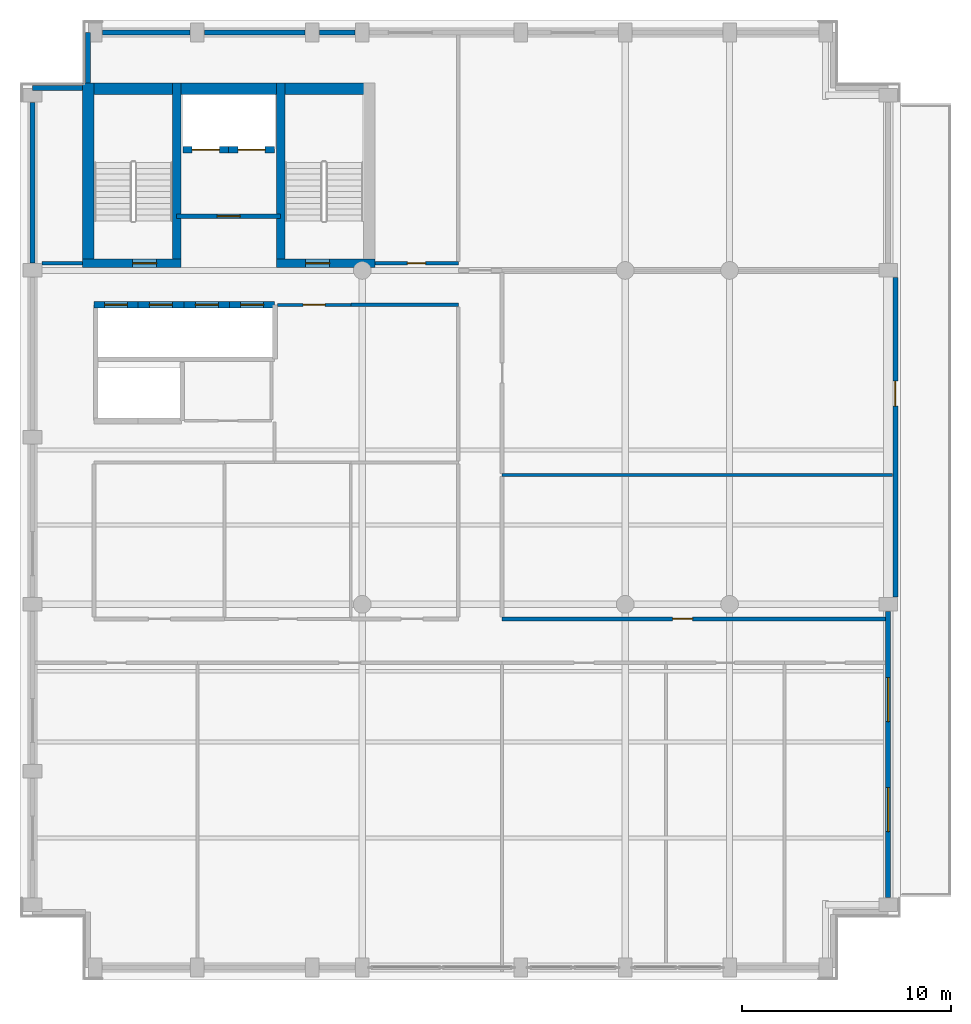
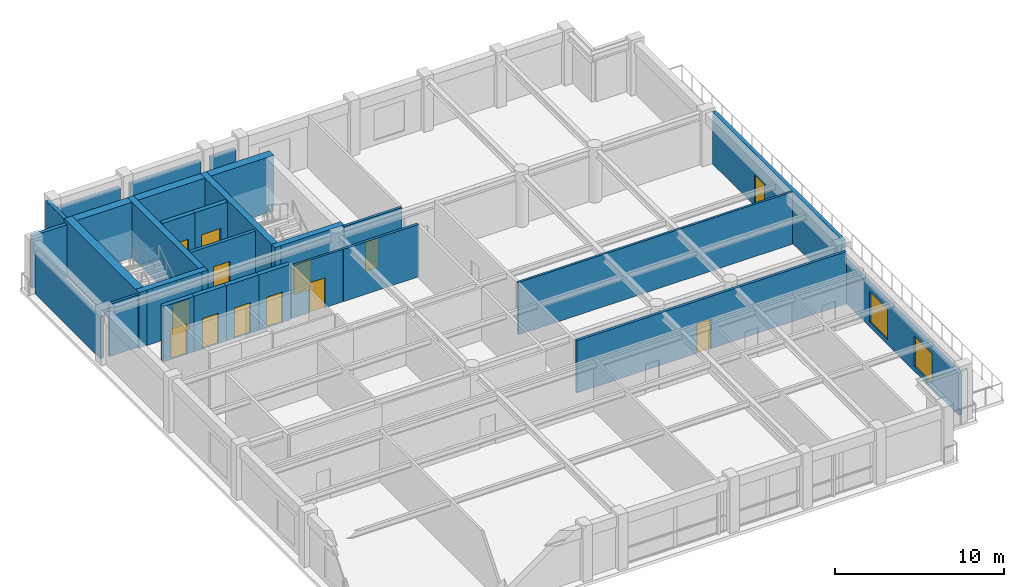
# One storey, part 5 of 9: 27 walls, 13 doors, 2 windows, 15 openings.
"""IFC4 building model written with IfcOpenShell, lengths in metres."""

from ifc_helpers import new_model, si_unit, direction, frame, frame_2d, origin, place, context, subcontext, project, spatial, rectangle, extrude, material, layer, layer_set, type_object, element, fill, save


model = new_model("IFC4")

# Units and contexts
model_context = context("Model", 3, precision=1e-05, world=origin(), true_north=direction((0.0, 1.0)))
body_context = subcontext(model_context, "Body", "Model", "MODEL_VIEW")
ifc_project = project(units=[si_unit("LENGTHUNIT", "METRE"), si_unit("AREAUNIT", "SQUARE_METRE"), si_unit("VOLUMEUNIT", "CUBIC_METRE"), si_unit("PLANEANGLEUNIT", "RADIAN"), si_unit("MASSUNIT", "GRAM", prefix="KILO")], contexts=[model_context])

# Site, building, storey
site_placement = place(None, origin())
site = spatial("IfcSite", under=ifc_project, at=site_placement, CompositionType="ELEMENT")
building_placement = place(site_placement, origin())
building = spatial("IfcBuilding", under=site, at=building_placement, Name="Sulina Concourse Tower", CompositionType="ELEMENT")
storey_placement = place(building_placement, frame((0.0, 0.0, 297.0)))
storey = spatial("IfcBuildingStorey", under=building, at=storey_placement, Name="L72", CompositionType="ELEMENT", Elevation=297.0)

# Wall, opening, door
ifc_material_1 = material(Name="Concrete C50/60", Category="concrete")
ifc_layer_1 = layer(ifc_material_1, 0.300048828125)
ifc_layer_set_1 = layer_set([ifc_layer_1], Name="Concrete C50/60")
wall_type_1 = type_object("IfcWallType", Name="Core Lift Hoistway Wall 300mm", PredefinedType="SOLIDWALL", material=ifc_layer_set_1)
wall_1_placement = place(storey_placement, frame((3.550048828125, 32.35009765625, 0.0), z_axis=(0.0, 0.0, 1.0), x_axis=(1.0, 0.0, 0.0)))
wall_1 = element("IfcWall", 1, at=wall_1_placement, inside=storey, type_object=wall_type_1, Name="L72 hoistway enclosure wall LP-09", PredefinedType="SOLIDWALL", context=body_context, shape_type="SweptSolid", body=[
    extrude(rectangle(XDim=2.099853515625, YDim=0.300048828125, at=frame_2d((1.0498046875, 0.0))), origin(), (0.0, 0.0, 1.0), 4.0),
])
opening_1_placement = place(wall_1_placement, frame((0.5, 0.0, 0.0)))
opening_1 = element("IfcOpeningElement", 2, at=opening_1_placement, cuts=wall_1, Name="Opening LD-01", PredefinedType="OPENING", context=body_context, shape_type="SweptSolid", body=[
    extrude(rectangle(XDim=1.10009765625, YDim=2.199951171875, at=frame_2d((0.550048828125, 1.10009765625))), frame((0.0, 0.159912109375, 0.0), z_axis=(0.0, -1.0, 0.0), x_axis=(1.0, 0.0, 0.0)), (0.0, 0.0, 1.0), 0.320068359375),
])
ifc_material_2 = material(Name="Stainless steel lift landing door", Category="steel")
ifc_layer_2 = layer(ifc_material_2, 0.050048828125)
ifc_layer_set_2 = layer_set([ifc_layer_2], Name="Stainless steel lift landing door")
door_type_1 = type_object("IfcDoorType", Name="Passenger Lift Sliding Landing Door 1100x2200", OperationType="SLIDING_TO_LEFT", PredefinedType="DOOR", material=ifc_layer_set_2)
door_1_placement = place(opening_1_placement, origin())
door_1 = element("IfcDoor", 3, at=door_1_placement, inside=storey, type_object=door_type_1, Name="L72 lift landing sliding door LP-09", OperationType="SLIDING_TO_LEFT", OverallHeight=2.199951171875, OverallWidth=1.10009765625, PredefinedType="DOOR", context=body_context, shape_type="SweptSolid", body=[
    extrude(rectangle(XDim=1.10009765625, YDim=2.199951171875, at=frame_2d((0.550048828125, 1.10009765625))), frame((0.0, 0.02490234375, 0.0), z_axis=(0.0, -1.0, 0.0), x_axis=(1.0, 0.0, 0.0)), (0.0, 0.0, 1.0), 0.050048828125),
])
fill(opening_1, door_1)

wall_2_placement = place(storey_placement, frame((5.64990234375, 32.35009765625, 0.0), z_axis=(0.0, 0.0, 1.0), x_axis=(1.0, 0.0, 0.0)))
wall_2 = element("IfcWall", 4, at=wall_2_placement, inside=storey, type_object=wall_type_1, Name="L72 hoistway enclosure wall LP-10", PredefinedType="SOLIDWALL", context=body_context, shape_type="SweptSolid", body=[
    extrude(rectangle(XDim=2.2001953125, YDim=0.300048828125, at=frame_2d((1.10009765625, 0.0))), origin(), (0.0, 0.0, 1.0), 4.0),
])
opening_2_placement = place(wall_2_placement, frame((0.550048828125, 0.0, 0.0)))
opening_2 = element("IfcOpeningElement", 5, at=opening_2_placement, cuts=wall_2, Name="Opening LD-01", PredefinedType="OPENING", context=body_context, shape_type="SweptSolid", body=[
    extrude(rectangle(XDim=1.10009765625, YDim=2.199951171875, at=frame_2d((0.550048828125, 1.10009765625))), frame((0.0, 0.159912109375, 0.0), z_axis=(0.0, -1.0, 0.0), x_axis=(1.0, 0.0, 0.0)), (0.0, 0.0, 1.0), 0.320068359375),
])
door_2_placement = place(opening_2_placement, origin())
door_2 = element("IfcDoor", 6, at=door_2_placement, inside=storey, type_object=door_type_1, Name="L72 lift landing sliding door LP-10", OperationType="SLIDING_TO_RIGHT", OverallHeight=2.199951171875, OverallWidth=1.10009765625, PredefinedType="DOOR", context=body_context, shape_type="SweptSolid", body=[
    extrude(rectangle(XDim=1.10009765625, YDim=2.199951171875, at=frame_2d((0.550048828125, 1.10009765625))), frame((0.0, 0.02490234375, 0.0), z_axis=(0.0, -1.0, 0.0), x_axis=(1.0, 0.0, 0.0)), (0.0, 0.0, 1.0), 0.050048828125),
])
fill(opening_2, door_2)

wall_3_placement = place(storey_placement, frame((7.85009765625, 32.35009765625, 0.0), z_axis=(0.0, 0.0, 1.0), x_axis=(1.0, 0.0, 0.0)))
wall_3 = element("IfcWall", 7, at=wall_3_placement, inside=storey, type_object=wall_type_1, Name="L72 hoistway enclosure wall LP-11", PredefinedType="SOLIDWALL", context=body_context, shape_type="SweptSolid", body=[
    extrude(rectangle(XDim=2.199951171875, YDim=0.300048828125, at=frame_2d((1.10009765625, 0.0))), origin(), (0.0, 0.0, 1.0), 4.0),
])
opening_3_placement = place(wall_3_placement, frame((0.550048828125, 0.0, 0.0)))
opening_3 = element("IfcOpeningElement", 8, at=opening_3_placement, cuts=wall_3, Name="Opening LD-01", PredefinedType="OPENING", context=body_context, shape_type="SweptSolid", body=[
    extrude(rectangle(XDim=1.10009765625, YDim=2.199951171875, at=frame_2d((0.550048828125, 1.10009765625))), frame((0.0, 0.159912109375, 0.0), z_axis=(0.0, -1.0, 0.0), x_axis=(1.0, 0.0, 0.0)), (0.0, 0.0, 1.0), 0.320068359375),
])
door_3_placement = place(opening_3_placement, origin())
door_3 = element("IfcDoor", 9, at=door_3_placement, inside=storey, type_object=door_type_1, Name="L72 lift landing sliding door LP-11", OperationType="SLIDING_TO_LEFT", OverallHeight=2.199951171875, OverallWidth=1.10009765625, PredefinedType="DOOR", context=body_context, shape_type="SweptSolid", body=[
    extrude(rectangle(XDim=1.10009765625, YDim=2.199951171875, at=frame_2d((0.550048828125, 1.10009765625))), frame((0.0, 0.02490234375, 0.0), z_axis=(0.0, -1.0, 0.0), x_axis=(1.0, 0.0, 0.0)), (0.0, 0.0, 1.0), 0.050048828125),
])
fill(opening_3, door_3)

wall_4_placement = place(storey_placement, frame((10.050048828125, 32.35009765625, 0.0), z_axis=(0.0, 0.0, 1.0), x_axis=(1.0, 0.0, 0.0)))
wall_4 = element("IfcWall", 10, at=wall_4_placement, inside=storey, type_object=wall_type_1, Name="L72 hoistway enclosure wall LP-12", PredefinedType="SOLIDWALL", context=body_context, shape_type="SweptSolid", body=[
    extrude(rectangle(XDim=2.14990234375, YDim=0.300048828125, at=frame_2d((1.074951171875, 0.0))), origin(), (0.0, 0.0, 1.0), 4.0),
])
opening_4_placement = place(wall_4_placement, frame((0.52490234375, 0.0, 0.0)))
opening_4 = element("IfcOpeningElement", 11, at=opening_4_placement, cuts=wall_4, Name="Opening LD-01", PredefinedType="OPENING", context=body_context, shape_type="SweptSolid", body=[
    extrude(rectangle(XDim=1.10009765625, YDim=2.199951171875, at=frame_2d((0.550048828125, 1.10009765625))), frame((0.0, 0.159912109375, 0.0), z_axis=(0.0, -1.0, 0.0), x_axis=(1.0, 0.0, 0.0)), (0.0, 0.0, 1.0), 0.320068359375),
])
door_4_placement = place(opening_4_placement, origin())
door_4 = element("IfcDoor", 12, at=door_4_placement, inside=storey, type_object=door_type_1, Name="L72 lift landing sliding door LP-12", OperationType="SLIDING_TO_RIGHT", OverallHeight=2.199951171875, OverallWidth=1.10009765625, PredefinedType="DOOR", context=body_context, shape_type="SweptSolid", body=[
    extrude(rectangle(XDim=1.10009765625, YDim=2.199951171875, at=frame_2d((0.550048828125, 1.10009765625))), frame((0.0, 0.02490234375, 0.0), z_axis=(0.0, -1.0, 0.0), x_axis=(1.0, 0.0, 0.0)), (0.0, 0.0, 1.0), 0.050048828125),
])
fill(opening_4, door_4)

wall_5_placement = place(storey_placement, frame((10.0, 39.780029296875, 0.0), z_axis=(0.0, 0.0, 1.0), x_axis=(-1.0, 0.0, 0.0)))
wall_5 = element("IfcWall", 13, at=wall_5_placement, inside=storey, type_object=wall_type_1, Name="L72 hoistway enclosure wall FFL-1", PredefinedType="SOLIDWALL", context=body_context, shape_type="SweptSolid", body=[
    extrude(rectangle(XDim=2.199951171875, YDim=0.300048828125, at=frame_2d((1.10009765625, 0.0))), origin(), (0.0, 0.0, 1.0), 4.0),
])
opening_5_placement = place(wall_5_placement, frame((0.449951171875, 0.0, 0.0)))
opening_5 = element("IfcOpeningElement", 14, at=opening_5_placement, cuts=wall_5, Name="Opening LD-02", PredefinedType="OPENING", context=body_context, shape_type="SweptSolid", body=[
    extrude(rectangle(XDim=1.300048828125, YDim=2.25, at=frame_2d((0.64990234375, 1.125))), frame((0.0, 0.159912109375, 0.0), z_axis=(0.0, -1.0, 0.0), x_axis=(1.0, 0.0, 0.0)), (0.0, 0.0, 1.0), 0.320068359375),
])
ifc_material_3 = material(Name="Stainless steel lift landing door", Category="steel")
ifc_layer_3 = layer(ifc_material_3, 0.050048828125)
ifc_layer_set_3 = layer_set([ifc_layer_3], Name="Stainless steel lift landing door")
door_type_2 = type_object("IfcDoorType", Name="Firefighting Lift Sliding Landing Door 1300x2250", OperationType="SLIDING_TO_RIGHT", PredefinedType="DOOR", material=ifc_layer_set_3)
door_5_placement = place(opening_5_placement, origin())
door_5 = element("IfcDoor", 15, at=door_5_placement, inside=storey, type_object=door_type_2, Name="L72 lift landing sliding door FFL-1", OperationType="SLIDING_TO_LEFT", OverallHeight=2.25, OverallWidth=1.300048828125, PredefinedType="DOOR", context=body_context, shape_type="SweptSolid", body=[
    extrude(rectangle(XDim=1.300048828125, YDim=2.25, at=frame_2d((0.64990234375, 1.125))), frame((0.0, 0.02490234375, 0.0), z_axis=(0.0, -1.0, 0.0), x_axis=(1.0, 0.0, 0.0)), (0.0, 0.0, 1.0), 0.050048828125),
])
fill(opening_5, door_5)

wall_6_placement = place(storey_placement, frame((12.199951171875, 39.780029296875, 0.0), z_axis=(0.0, 0.0, 1.0), x_axis=(-1.0, 0.0, 0.0)))
wall_6 = element("IfcWall", 16, at=wall_6_placement, inside=storey, type_object=wall_type_1, Name="L72 hoistway enclosure wall FFL-2", PredefinedType="SOLIDWALL", context=body_context, shape_type="SweptSolid", body=[
    extrude(rectangle(XDim=2.199951171875, YDim=0.300048828125, at=frame_2d((1.10009765625, 0.0))), origin(), (0.0, 0.0, 1.0), 4.0),
])
opening_6_placement = place(wall_6_placement, frame((0.449951171875, 0.0, 0.0)))
opening_6 = element("IfcOpeningElement", 17, at=opening_6_placement, cuts=wall_6, Name="Opening LD-02", PredefinedType="OPENING", context=body_context, shape_type="SweptSolid", body=[
    extrude(rectangle(XDim=1.300048828125, YDim=2.25, at=frame_2d((0.64990234375, 1.125))), frame((0.0, 0.159912109375, 0.0), z_axis=(0.0, -1.0, 0.0), x_axis=(1.0, 0.0, 0.0)), (0.0, 0.0, 1.0), 0.320068359375),
])
door_6_placement = place(opening_6_placement, origin())
door_6 = element("IfcDoor", 18, at=door_6_placement, inside=storey, type_object=door_type_2, Name="L72 lift landing sliding door FFL-2", OperationType="SLIDING_TO_RIGHT", OverallHeight=2.25, OverallWidth=1.300048828125, PredefinedType="DOOR", context=body_context, shape_type="SweptSolid", body=[
    extrude(rectangle(XDim=1.300048828125, YDim=2.25, at=frame_2d((0.64990234375, 1.125))), frame((0.0, 0.02490234375, 0.0), z_axis=(0.0, -1.0, 0.0), x_axis=(1.0, 0.0, 0.0)), (0.0, 0.0, 1.0), 0.050048828125),
])
fill(opening_6, door_6)

# Walls
ifc_material_4 = material(Name="Precast concrete C50/60", Category="concrete")
ifc_layer_4 = layer(ifc_material_4, 0.239990234375)
ifc_layer_set_4 = layer_set([ifc_layer_4], Name="Precast concrete C50/60")
wall_type_2 = type_object("IfcWallType", Name="Crown Precast Masonry-Frame Facade Wall 240mm", PredefinedType="SOLIDWALL", material=ifc_layer_set_4)
wall_7_placement = place(storey_placement, frame((0.60009765625, 34.344970703125, 0.0), z_axis=(0.0, 0.0, 1.0), x_axis=(0.0, 1.0, 0.0)))
element("IfcWall", 19, at=wall_7_placement, inside=storey, type_object=wall_type_2, Name="L72 exterior precast wall W5", PredefinedType="SOLIDWALL", context=body_context, shape_type="SweptSolid", body=[
    extrude(rectangle(XDim=7.7099609375, YDim=0.239990234375, at=frame_2d((3.85498046875, 0.0))), origin(), (0.0, 0.0, 1.0), 3.02490234375),
])
wall_8_placement = place(storey_placement, frame((3.945068359375, 45.39990234375, 0.0), z_axis=(0.0, 0.0, 1.0), x_axis=(1.0, 0.0, 0.0)))
element("IfcWall", 20, at=wall_8_placement, inside=storey, type_object=wall_type_2, Name="L72 exterior precast wall N1", PredefinedType="SOLIDWALL", context=body_context, shape_type="SweptSolid", body=[
    extrude(rectangle(XDim=4.2099609375, YDim=0.239990234375, at=frame_2d((2.10498046875, 0.0))), origin(), (0.0, 0.0, 1.0), 3.02490234375),
])
wall_9_placement = place(storey_placement, frame((8.844970703125, 45.39990234375, 0.0), z_axis=(0.0, 0.0, 1.0), x_axis=(1.0, 0.0, 0.0)))
element("IfcWall", 21, at=wall_9_placement, inside=storey, type_object=wall_type_2, Name="L72 exterior precast wall N2", PredefinedType="SOLIDWALL", context=body_context, shape_type="SweptSolid", body=[
    extrude(rectangle(XDim=4.81005859375, YDim=0.239990234375, at=frame_2d((2.405029296875, 0.0))), origin(), (0.0, 0.0, 1.0), 3.02490234375),
])
wall_10_placement = place(storey_placement, frame((14.344970703125, 45.39990234375, 0.0), z_axis=(0.0, 0.0, 1.0), x_axis=(1.0, 0.0, 0.0)))
element("IfcWall", 22, at=wall_10_placement, inside=storey, type_object=wall_type_2, Name="L72 exterior precast wall N3", PredefinedType="SOLIDWALL", context=body_context, shape_type="SweptSolid", body=[
    extrude(rectangle(XDim=1.7099609375, YDim=0.239990234375, at=frame_2d((0.85498046875, 0.0))), origin(), (0.0, 0.0, 1.0), 3.02490234375),
])

# Wall, openings, windows
wall_11_placement = place(storey_placement, frame((41.60009765625, 17.655029296875, 0.0), z_axis=(0.0, 0.0, 1.0), x_axis=(0.0, -1.0, 0.0)))
wall_11 = element("IfcWall", 23, at=wall_11_placement, inside=storey, type_object=wall_type_2, Name="L72 exterior precast wall E1", PredefinedType="SOLIDWALL", context=body_context, shape_type="SweptSolid", body=[
    extrude(rectangle(XDim=13.7099609375, YDim=0.239990234375, at=frame_2d((6.85498046875, 0.0))), origin(), (0.0, 0.0, 1.0), 3.02490234375),
])
opening_7_placement = place(wall_11_placement, frame((3.169921875, 0.0, 0.35009765625)))
opening_7 = element("IfcOpeningElement", 24, at=opening_7_placement, cuts=wall_11, Name="Opening WN-33", PredefinedType="OPENING", context=body_context, shape_type="SweptSolid", body=[
    extrude(rectangle(XDim=2.10009765625, YDim=2.199951171875, at=frame_2d((1.050048828125, 1.10009765625))), frame((0.0, 0.1298828125, 0.0), z_axis=(0.0, -1.0, 0.0), x_axis=(1.0, 0.0, 0.0)), (0.0, 0.0, 1.0), 0.260009765625),
])
opening_8_placement = place(wall_11_placement, frame((8.43994140625, 0.0, 0.35009765625)))
opening_8 = element("IfcOpeningElement", 25, at=opening_8_placement, cuts=wall_11, Name="Opening WN-33", PredefinedType="OPENING", context=body_context, shape_type="SweptSolid", body=[
    extrude(rectangle(XDim=2.10009765625, YDim=2.199951171875, at=frame_2d((1.050048828125, 1.10009765625))), frame((0.0, 0.1298828125, 0.0), z_axis=(0.0, -1.0, 0.0), x_axis=(1.0, 0.0, 0.0)), (0.0, 0.0, 1.0), 0.260009765625),
])
ifc_material_5 = material(Name="Low-E solar double glazing in bronze aluminium", Category="aluminium")
window_type = type_object("IfcWindowType", Name="Punched Masonry-Frame Window 2100x2200", PartitioningType="DOUBLE_PANEL_VERTICAL", PredefinedType="WINDOW", material=ifc_material_5)
window_1_placement = place(opening_7_placement, origin())
window_1 = element("IfcWindow", 26, at=window_1_placement, inside=storey, type_object=window_type, Name="L72 punched window E1-1", OverallHeight=2.199951171875, OverallWidth=2.10009765625, PartitioningType="SINGLE_PANEL", PredefinedType="WINDOW", context=body_context, shape_type="SweptSolid", body=[
    extrude(rectangle(XDim=2.10009765625, YDim=2.199951171875, at=frame_2d((1.050048828125, 1.10009765625))), frame((0.0, 0.030029296875, 0.0), z_axis=(0.0, -1.0, 0.0), x_axis=(1.0, 0.0, 0.0)), (0.0, 0.0, 1.0), 0.06005859375),
])
fill(opening_7, window_1)
window_2_placement = place(opening_8_placement, origin())
window_2 = element("IfcWindow", 27, at=window_2_placement, inside=storey, type_object=window_type, Name="L72 punched window E1-2", OverallHeight=2.199951171875, OverallWidth=2.10009765625, PartitioningType="SINGLE_PANEL", PredefinedType="WINDOW", context=body_context, shape_type="SweptSolid", body=[
    extrude(rectangle(XDim=2.10009765625, YDim=2.199951171875, at=frame_2d((1.050048828125, 1.10009765625))), frame((0.0, 0.030029296875, 0.0), z_axis=(0.0, -1.0, 0.0), x_axis=(1.0, 0.0, 0.0)), (0.0, 0.0, 1.0), 0.06005859375),
])
fill(opening_8, window_2)

# Wall, opening, door
wall_12_placement = place(storey_placement, frame((41.949951171875, 33.655029296875, 0.0), z_axis=(0.0, 0.0, 1.0), x_axis=(0.0, -1.0, 0.0)))
wall_12 = element("IfcWall", 28, at=wall_12_placement, inside=storey, type_object=wall_type_2, Name="L72 exterior precast wall E2", PredefinedType="SOLIDWALL", context=body_context, shape_type="SweptSolid", body=[
    extrude(rectangle(XDim=15.31005859375, YDim=0.239990234375, at=frame_2d((7.655029296875, 0.0))), origin(), (0.0, 0.0, 1.0), 3.77490234375),
])
opening_9_placement = place(wall_12_placement, frame((4.955078125, 0.0, 0.0)))
opening_9 = element("IfcOpeningElement", 29, at=opening_9_placement, cuts=wall_12, Name="Opening DR-22", PredefinedType="OPENING", context=body_context, shape_type="SweptSolid", body=[
    extrude(rectangle(XDim=1.199951171875, YDim=2.25, at=frame_2d((0.60009765625, 1.125))), frame((0.0, 0.1298828125, 0.0), z_axis=(0.0, -1.0, 0.0), x_axis=(1.0, 0.0, 0.0)), (0.0, 0.0, 1.0), 0.260009765625),
])
ifc_material_6 = material(Name="Anodised bronze aluminium and glazed leaf", Category="aluminium")
ifc_layer_5 = layer(ifc_material_6, 0.054931640625)
ifc_layer_set_5 = layer_set([ifc_layer_5], Name="Anodised bronze aluminium and glazed leaf")
door_type_3 = type_object("IfcDoorType", Name="Planted Terrace & Sky-Deck Door 1200x2250", OperationType="NOTDEFINED", PredefinedType="DOOR", material=ifc_layer_set_5)
door_7_placement = place(opening_9_placement, origin())
door_7 = element("IfcDoor", 30, at=door_7_placement, inside=storey, type_object=door_type_3, Name="L72 exterior door TD-CR", OperationType="SINGLE_SWING_LEFT", OverallHeight=2.25, OverallWidth=1.199951171875, PredefinedType="DOOR", context=body_context, shape_type="SweptSolid", body=[
    extrude(rectangle(XDim=1.199951171875, YDim=2.25, at=frame_2d((0.60009765625, 1.125))), frame((0.0, 0.02490234375, 0.0), z_axis=(0.0, -1.0, 0.0), x_axis=(1.0, 0.0, 0.0)), (0.0, 0.0, 1.0), 0.050048828125),
])
fill(opening_9, door_7)

# Walls
wall_13_placement = place(storey_placement, frame((0.60009765625, 42.7451171875, 0.0), z_axis=(0.0, 0.0, 1.0), x_axis=(1.0, 0.0, 0.0)))
element("IfcWall", 31, at=wall_13_placement, inside=storey, type_object=wall_type_2, Name="L72 exterior precast wall CNW1", PredefinedType="SOLIDWALL", context=body_context, shape_type="SweptSolid", body=[
    extrude(rectangle(XDim=2.39501953125, YDim=0.239990234375, at=frame_2d((1.197509765625, 0.0))), origin(), (0.0, 0.0, 1.0), 3.77490234375),
])
wall_14_placement = place(storey_placement, frame((3.2548828125, 42.985107421875, 0.0), z_axis=(0.0, 0.0, 1.0), x_axis=(0.0, 1.0, 0.0)))
element("IfcWall", 32, at=wall_14_placement, inside=storey, type_object=wall_type_2, Name="L72 exterior precast wall CNW2", PredefinedType="SOLIDWALL", context=body_context, shape_type="SweptSolid", body=[
    extrude(rectangle(XDim=2.414794921875, YDim=0.239990234375, at=frame_2d((1.20751953125, 0.0))), origin(), (0.0, 0.0, 1.0), 3.77490234375),
])

# Wall, opening, door
ifc_material_7 = material(Name="Gypsum board on steel stud", Category="steel")
ifc_layer_6 = layer(ifc_material_7, 0.219970703125)
ifc_layer_set_6 = layer_set([ifc_layer_6], Name="Gypsum board on steel stud")
wall_type_3 = type_object("IfcWallType", Name="Fire-Rated Lobby & Compartment Wall 220mm", PredefinedType="PARTITIONING", material=ifc_layer_set_6)
wall_15_placement = place(storey_placement, frame((7.510009765625, 36.60009765625, 0.0), z_axis=(0.0, 0.0, 1.0), x_axis=(1.0, 0.0, 0.0)))
wall_15 = element("IfcWall", 33, at=wall_15_placement, inside=storey, type_object=wall_type_3, Name="L72 firefighting lobby south fire wall", PredefinedType="PARTITIONING", context=body_context, shape_type="SweptSolid", body=[
    extrude(rectangle(XDim=4.97998046875, YDim=0.219970703125, at=frame_2d((2.489990234375, 0.0))), origin(), (0.0, 0.0, 1.0), 3.77490234375),
])
opening_10_placement = place(wall_15_placement, frame((1.93994140625, 0.0, 0.0)))
opening_10 = element("IfcOpeningElement", 34, at=opening_10_placement, cuts=wall_15, Name="Opening DR-47", PredefinedType="OPENING", context=body_context, shape_type="SweptSolid", body=[
    extrude(rectangle(XDim=1.10009765625, YDim=2.199951171875, at=frame_2d((0.550048828125, 1.10009765625))), frame((0.0, 0.119873046875, 0.0), z_axis=(0.0, -1.0, 0.0), x_axis=(1.0, 0.0, 0.0)), (0.0, 0.0, 1.0), 0.239990234375),
])
ifc_material_8 = material(Name="Galvanised steel acoustic fire leaf", Category="steel")
ifc_layer_7 = layer(ifc_material_8, 0.054931640625)
ifc_layer_set_7 = layer_set([ifc_layer_7], Name="Galvanised steel acoustic fire leaf")
door_type_4 = type_object("IfcDoorType", Name="Firefighting Lobby Fire Door 1100x2200", OperationType="NOTDEFINED", PredefinedType="DOOR", material=ifc_layer_set_7)
door_8_placement = place(opening_10_placement, origin())
door_8 = element("IfcDoor", 35, at=door_8_placement, inside=storey, type_object=door_type_4, Name="L72 firefighting lobby fire door", OperationType="SINGLE_SWING_LEFT", OverallHeight=2.199951171875, OverallWidth=1.10009765625, PredefinedType="DOOR", context=body_context, shape_type="SweptSolid", body=[
    extrude(rectangle(XDim=1.10009765625, YDim=2.199951171875, at=frame_2d((0.550048828125, 1.10009765625))), frame((0.0, 0.02490234375, 0.0), z_axis=(0.0, -1.0, 0.0), x_axis=(1.0, 0.0, 0.0)), (0.0, 0.0, 1.0), 0.050048828125),
])
fill(opening_10, door_8)

# Wall
ifc_material_9 = material(Name="Gypsum board on steel stud", Category="steel")
ifc_layer_8 = layer(ifc_material_9, 0.14990234375)
ifc_layer_set_8 = layer_set([ifc_layer_8], Name="Gypsum board on steel stud")
wall_type_4 = type_object("IfcWallType", Name="Inter-Tenancy Acoustic Partition 150mm", PredefinedType="PARTITIONING", material=ifc_layer_set_8)
wall_16_placement = place(storey_placement, frame((23.10009765625, 24.199951171875, 0.0), z_axis=(0.0, 0.0, 1.0), x_axis=(1.0, 0.0, 0.0)))
element("IfcWall", 36, at=wall_16_placement, inside=storey, type_object=wall_type_4, Name="L72 interior partition 010", PredefinedType="PARTITIONING", context=body_context, shape_type="SweptSolid", body=[
    extrude(rectangle(XDim=18.699951171875, YDim=0.14990234375, at=frame_2d((9.35009765625, 0.0))), origin(), (0.0, 0.0, 1.0), 3.77490234375),
])

# Wall, opening, door
wall_17_placement = place(storey_placement, frame((12.330078125, 32.35009765625, 0.0), z_axis=(0.0, 0.0, 1.0), x_axis=(1.0, 0.0, 0.0)))
wall_17 = element("IfcWall", 37, at=wall_17_placement, inside=storey, type_object=wall_type_4, Name="L72 interior partition 016", PredefinedType="PARTITIONING", context=body_context, shape_type="SweptSolid", body=[
    extrude(rectangle(XDim=3.52001953125, YDim=0.14990234375, at=frame_2d((1.760009765625, 0.0))), origin(), (0.0, 0.0, 1.0), 3.77490234375),
])
opening_11_placement = place(wall_17_placement, frame((1.235107421875, 0.0, 0.0)))
opening_11 = element("IfcOpeningElement", 38, at=opening_11_placement, cuts=wall_17, Name="Opening DR-37", PredefinedType="OPENING", context=body_context, shape_type="SweptSolid", body=[
    extrude(rectangle(XDim=1.050048828125, YDim=2.14990234375, at=frame_2d((0.52490234375, 1.074951171875))), frame((0.0, 0.0849609375, 0.0), z_axis=(0.0, -1.0, 0.0), x_axis=(1.0, 0.0, 0.0)), (0.0, 0.0, 1.0), 0.169921875),
])
ifc_material_10 = material(Name="Oak-veneered fire door leaf")
ifc_layer_9 = layer(ifc_material_10, 0.050048828125)
ifc_layer_set_9 = layer_set([ifc_layer_9], Name="Oak-veneered fire door leaf")
door_type_5 = type_object("IfcDoorType", Name="Tenant Suite Entrance Fire Door 1050x2150", OperationType="NOTDEFINED", PredefinedType="DOOR", material=ifc_layer_set_9)
door_9_placement = place(opening_11_placement, origin())
door_9 = element("IfcDoor", 39, at=door_9_placement, inside=storey, type_object=door_type_5, Name="L72 interior door L72-MR-MRG1", OperationType="SINGLE_SWING_RIGHT", OverallHeight=2.14990234375, OverallWidth=1.050048828125, PredefinedType="DOOR", context=body_context, shape_type="SweptSolid", body=[
    extrude(rectangle(XDim=1.050048828125, YDim=2.14990234375, at=frame_2d((0.52490234375, 1.074951171875))), frame((0.0, 0.02490234375, 0.0), z_axis=(0.0, -1.0, 0.0), x_axis=(1.0, 0.0, 0.0)), (0.0, 0.0, 1.0), 0.050048828125),
])
fill(opening_11, door_9)

ifc_material_11 = material(Name="Gypsum board on steel stud", Category="steel")
ifc_layer_10 = layer(ifc_material_11, 0.179931640625)
ifc_layer_set_10 = layer_set([ifc_layer_10], Name="Gypsum board on steel stud")
wall_type_5 = type_object("IfcWallType", Name="Protected Corridor & Riser Partition 180mm", PredefinedType="PARTITIONING", material=ifc_layer_set_10)
wall_18_placement = place(storey_placement, frame((23.10009765625, 17.300048828125, 0.0), z_axis=(0.0, 0.0, 1.0), x_axis=(1.0, 0.0, 0.0)))
wall_18 = element("IfcWall", 40, at=wall_18_placement, inside=storey, type_object=wall_type_5, Name="L72 interior partition 009", PredefinedType="PARTITIONING", context=body_context, shape_type="SweptSolid", body=[
    extrude(rectangle(XDim=18.3798828125, YDim=0.179931640625, at=frame_2d((9.18994140625, 0.0))), origin(), (0.0, 0.0, 1.0), 3.77490234375),
])
opening_12_placement = place(wall_18_placement, frame((8.175048828125, 0.0, 0.0)))
opening_12 = element("IfcOpeningElement", 41, at=opening_12_placement, cuts=wall_18, Name="Opening DR-19", PredefinedType="OPENING", context=body_context, shape_type="SweptSolid", body=[
    extrude(rectangle(XDim=0.949951171875, YDim=2.14990234375, at=frame_2d((0.47509765625, 1.074951171875))), frame((0.0, 0.099853515625, 0.0), z_axis=(0.0, -1.0, 0.0), x_axis=(1.0, 0.0, 0.0)), (0.0, 0.0, 1.0), 0.199951171875),
])
ifc_material_12 = material(Name="Oak-veneered acoustic timber leaf", Category="wood")
ifc_layer_11 = layer(ifc_material_12, 0.050048828125)
ifc_layer_set_11 = layer_set([ifc_layer_11], Name="Oak-veneered acoustic timber leaf")
door_type_6 = type_object("IfcDoorType", Name="Cellular Office & Meeting Door 950x2150", OperationType="NOTDEFINED", PredefinedType="DOOR", material=ifc_layer_set_11)
door_10_placement = place(opening_12_placement, origin())
door_10 = element("IfcDoor", 42, at=door_10_placement, inside=storey, type_object=door_type_6, Name="L72 interior door L72-CR-E1", OperationType="SINGLE_SWING_RIGHT", OverallHeight=2.14990234375, OverallWidth=0.949951171875, PredefinedType="DOOR", context=body_context, shape_type="SweptSolid", body=[
    extrude(rectangle(XDim=0.949951171875, YDim=2.14990234375, at=frame_2d((0.47509765625, 1.074951171875))), frame((0.0, 0.02490234375, 0.0), z_axis=(0.0, -1.0, 0.0), x_axis=(1.0, 0.0, 0.0)), (0.0, 0.0, 1.0), 0.050048828125),
])
fill(opening_12, door_10)

# Walls
wall_19_placement = place(storey_placement, frame((15.85009765625, 32.35009765625, 0.0), z_axis=(0.0, 0.0, 1.0), x_axis=(1.0, 0.0, 0.0)))
element("IfcWall", 43, at=wall_19_placement, inside=storey, type_object=wall_type_5, Name="L72 interior partition 017", PredefinedType="PARTITIONING", context=body_context, shape_type="SweptSolid", body=[
    extrude(rectangle(XDim=5.14990234375, YDim=0.179931640625, at=frame_2d((2.574951171875, 0.0))), origin(), (0.0, 0.0, 1.0), 3.77490234375),
])
wall_20_placement = place(storey_placement, frame((1.050048828125, 34.35009765625, 0.0), z_axis=(0.0, 0.0, 1.0), x_axis=(1.0, 0.0, 0.0)))
element("IfcWall", 44, at=wall_20_placement, inside=storey, type_object=wall_type_5, Name="L72 interior partition 022", PredefinedType="PARTITIONING", context=body_context, shape_type="SweptSolid", body=[
    extrude(rectangle(XDim=1.949951171875, YDim=0.179931640625, at=frame_2d((0.97509765625, 0.0))), origin(), (0.0, 0.0, 1.0), 3.77490234375),
])

# Wall, opening, door
wall_21_placement = place(storey_placement, frame((17.0, 34.35009765625, 0.0), z_axis=(0.0, 0.0, 1.0), x_axis=(1.0, 0.0, 0.0)))
wall_21 = element("IfcWall", 45, at=wall_21_placement, inside=storey, type_object=wall_type_5, Name="L72 interior partition 023", PredefinedType="PARTITIONING", context=body_context, shape_type="SweptSolid", body=[
    extrude(rectangle(XDim=4.0, YDim=0.179931640625, at=frame_2d((2.0, 0.0))), origin(), (0.0, 0.0, 1.0), 3.77490234375),
])
opening_13_placement = place(wall_21_placement, frame((1.56005859375, 0.0, 0.0)))
opening_13 = element("IfcOpeningElement", 46, at=opening_13_placement, cuts=wall_21, Name="Opening DR-38", PredefinedType="OPENING", context=body_context, shape_type="SweptSolid", body=[
    extrude(rectangle(XDim=0.8798828125, YDim=2.10009765625, at=frame_2d((0.43994140625, 1.050048828125))), frame((0.0, 0.099853515625, 0.0), z_axis=(0.0, -1.0, 0.0), x_axis=(1.0, 0.0, 0.0)), (0.0, 0.0, 1.0), 0.199951171875),
])
ifc_material_13 = material(Name="Galvanised steel acoustic fire leaf", Category="steel")
ifc_layer_12 = layer(ifc_material_13, 0.050048828125)
ifc_layer_set_12 = layer_set([ifc_layer_12], Name="Galvanised steel acoustic fire leaf")
door_type_7 = type_object("IfcDoorType", Name="Service Riser Fire Door 880x2100", OperationType="NOTDEFINED", PredefinedType="DOOR", material=ifc_layer_set_12)
door_11_placement = place(opening_13_placement, origin())
door_11 = element("IfcDoor", 47, at=door_11_placement, inside=storey, type_object=door_type_7, Name="L72 interior door L72-CR-N1", OperationType="SINGLE_SWING_RIGHT", OverallHeight=2.10009765625, OverallWidth=0.8798828125, PredefinedType="DOOR", context=body_context, shape_type="SweptSolid", body=[
    extrude(rectangle(XDim=0.8798828125, YDim=2.10009765625, at=frame_2d((0.43994140625, 1.050048828125))), frame((0.0, 0.02490234375, 0.0), z_axis=(0.0, -1.0, 0.0), x_axis=(1.0, 0.0, 0.0)), (0.0, 0.0, 1.0), 0.050048828125),
])
fill(opening_13, door_11)

ifc_material_14 = material(Name="Concrete C60/75", Category="concrete")
ifc_layer_13 = layer(ifc_material_14, 0.39990234375)
ifc_layer_set_13 = layer_set([ifc_layer_13], Name="Concrete C60/75")
wall_type_6 = type_object("IfcWallType", Name="Protected Stair Core Shear Wall 400mm", PredefinedType="SHEAR", material=ifc_layer_set_13)
wall_22_placement = place(storey_placement, frame((3.0, 34.35009765625, 0.0), z_axis=(0.0, 0.0, 1.0), x_axis=(1.0, 0.0, 0.0)))
wall_22 = element("IfcWall", 48, at=wall_22_placement, inside=storey, type_object=wall_type_6, Name="L72 west core shear wall CW-WS1", PredefinedType="SHEAR", context=body_context, shape_type="SweptSolid", body=[
    extrude(rectangle(XDim=4.7099609375, YDim=0.39990234375, at=frame_2d((2.35498046875, 0.0))), origin(), (0.0, 0.0, 1.0), 4.0),
])
opening_14_placement = place(wall_22_placement, frame((2.39990234375, 0.0, 0.0)))
opening_14 = element("IfcOpeningElement", 49, at=opening_14_placement, cuts=wall_22, Name="Opening DR-60", PredefinedType="OPENING", context=body_context, shape_type="SweptSolid", body=[
    extrude(rectangle(XDim=1.14990234375, YDim=2.199951171875, at=frame_2d((0.574951171875, 1.10009765625))), frame((0.0, 0.2099609375, 0.0), z_axis=(0.0, -1.0, 0.0), x_axis=(1.0, 0.0, 0.0)), (0.0, 0.0, 1.0), 0.419921875),
])
ifc_material_15 = material(Name="Galvanised steel acoustic fire leaf", Category="steel")
ifc_layer_14 = layer(ifc_material_15, 0.054931640625)
ifc_layer_set_14 = layer_set([ifc_layer_14], Name="Galvanised steel acoustic fire leaf")
door_type_8 = type_object("IfcDoorType", Name="Protected Exit Stair Fire Door 1150x2200", OperationType="NOTDEFINED", PredefinedType="DOOR", material=ifc_layer_set_14)
door_12_placement = place(opening_14_placement, origin())
door_12 = element("IfcDoor", 50, at=door_12_placement, inside=storey, type_object=door_type_8, Name="L72 stair ST-1 lobby fire door", OperationType="SINGLE_SWING_LEFT", OverallHeight=2.199951171875, OverallWidth=1.14990234375, PredefinedType="DOOR", context=body_context, shape_type="SweptSolid", body=[
    extrude(rectangle(XDim=1.14990234375, YDim=2.199951171875, at=frame_2d((0.574951171875, 1.10009765625))), frame((0.0, 0.02490234375, 0.0), z_axis=(0.0, -1.0, 0.0), x_axis=(1.0, 0.0, 0.0)), (0.0, 0.0, 1.0), 0.050048828125),
])
fill(opening_14, door_12)

wall_23_placement = place(storey_placement, frame((12.2900390625, 34.35009765625, 0.0), z_axis=(0.0, 0.0, 1.0), x_axis=(1.0, 0.0, 0.0)))
wall_23 = element("IfcWall", 51, at=wall_23_placement, inside=storey, type_object=wall_type_6, Name="L72 west core shear wall CW-WS2", PredefinedType="SHEAR", context=body_context, shape_type="SweptSolid", body=[
    extrude(rectangle(XDim=4.7099609375, YDim=0.39990234375, at=frame_2d((2.35498046875, 0.0))), origin(), (0.0, 0.0, 1.0), 4.0),
])
opening_15_placement = place(wall_23_placement, frame((1.39990234375, 0.0, 0.0)))
opening_15 = element("IfcOpeningElement", 52, at=opening_15_placement, cuts=wall_23, Name="Opening DR-60", PredefinedType="OPENING", context=body_context, shape_type="SweptSolid", body=[
    extrude(rectangle(XDim=1.14990234375, YDim=2.199951171875, at=frame_2d((0.574951171875, 1.10009765625))), frame((0.0, 0.2099609375, 0.0), z_axis=(0.0, -1.0, 0.0), x_axis=(1.0, 0.0, 0.0)), (0.0, 0.0, 1.0), 0.419921875),
])
door_13_placement = place(opening_15_placement, origin())
door_13 = element("IfcDoor", 53, at=door_13_placement, inside=storey, type_object=door_type_8, Name="L72 stair ST-2 lobby fire door", OperationType="SINGLE_SWING_RIGHT", OverallHeight=2.199951171875, OverallWidth=1.14990234375, PredefinedType="DOOR", context=body_context, shape_type="SweptSolid", body=[
    extrude(rectangle(XDim=1.14990234375, YDim=2.199951171875, at=frame_2d((0.574951171875, 1.10009765625))), frame((0.0, 0.02490234375, 0.0), z_axis=(0.0, -1.0, 0.0), x_axis=(1.0, 0.0, 0.0)), (0.0, 0.0, 1.0), 0.050048828125),
])
fill(opening_15, door_13)

# Walls
for number, where, z_axis, x_axis, name in (
    (54, (7.510009765625, 34.14990234375, 0.0), (0.0, 0.0, 1.0), (0.0, 1.0, 0.0), "L72 west core shear wall SW-ST1"),
    (55, (12.489990234375, 34.14990234375, 0.0), (0.0, 0.0, 1.0), (0.0, 1.0, 0.0), "L72 west core shear wall SW-ST2"),
):
    element("IfcWall", number, at=place(storey_placement, frame(where, z_axis=z_axis, x_axis=x_axis)), inside=storey, type_object=wall_type_6, Name=name, PredefinedType="SHEAR", context=body_context, shape_type="SweptSolid", body=[
        extrude(rectangle(XDim=8.830078125, YDim=0.39990234375, at=frame_2d((4.4150390625, 0.0))), origin(), (0.0, 0.0, 1.0), 4.0),
    ])
ifc_material_16 = material(Name="Concrete C50/60", Category="concrete")
ifc_layer_15 = layer(ifc_material_16, 0.550048828125)
ifc_layer_set_15 = layer_set([ifc_layer_15], Name="Concrete C50/60")
wall_type_7 = type_object("IfcWallType", Name="Upper Core Shear Wall 550mm", PredefinedType="SHEAR", material=ifc_layer_set_15)
wall_24_placement = place(storey_placement, frame((3.0, 42.705078125, 0.0), z_axis=(0.0, 0.0, 1.0), x_axis=(1.0, 0.0, 0.0)))
element("IfcWall", 56, at=wall_24_placement, inside=storey, type_object=wall_type_7, Name="L72 west core shear wall CW-WN", PredefinedType="SHEAR", context=body_context, shape_type="SweptSolid", body=[
    extrude(rectangle(XDim=14.0, YDim=0.550048828125, at=frame_2d((7.0, 0.0))), origin(), (0.0, 0.0, 1.0), 4.0),
])
wall_25_placement = place(storey_placement, frame((3.27490234375, 34.14990234375, 0.0), z_axis=(0.0, 0.0, 1.0), x_axis=(0.0, 1.0, 0.0)))
element("IfcWall", 57, at=wall_25_placement, inside=storey, type_object=wall_type_7, Name="L72 west core shear wall CW-WW", PredefinedType="SHEAR", context=body_context, shape_type="SweptSolid", body=[
    extrude(rectangle(XDim=8.830078125, YDim=0.550048828125, at=frame_2d((4.4150390625, 0.0))), origin(), (0.0, 0.0, 1.0), 4.0),
])

save(model, "model.ifc")
